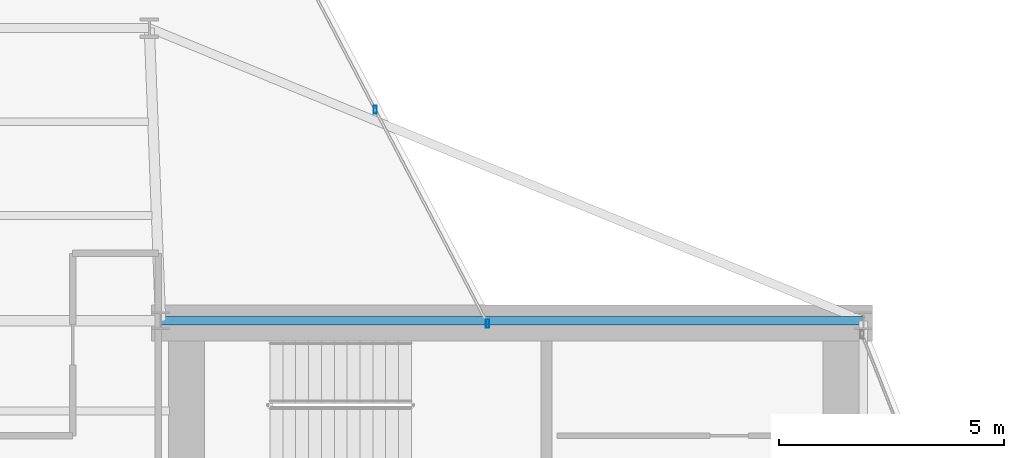
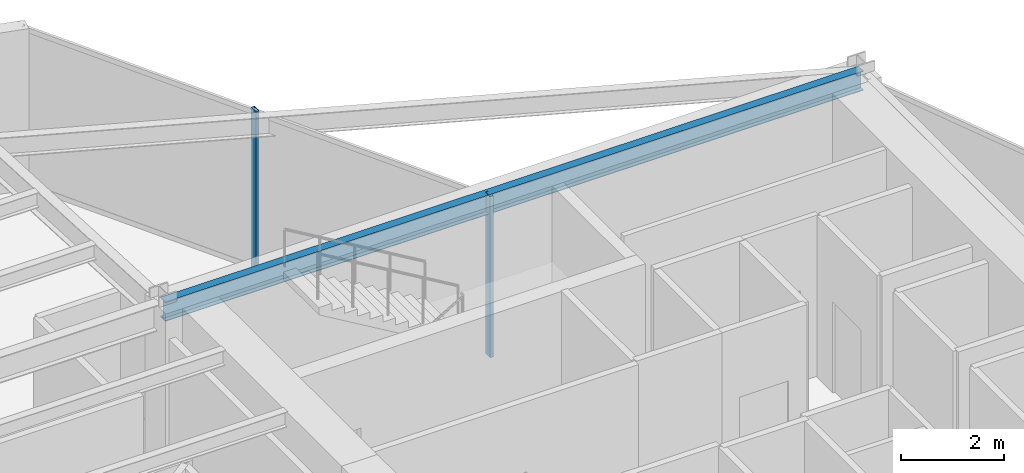
# One storey, part 15 of 25: 2 members, 1 beam, 1 element without a shape of its own.
"""IFC4 building model written with IfcOpenShell, lengths in metres."""

import ifcopenshell
import ifcopenshell.guid

model = None  # the IFC model being written
_history = None  # IfcOwnerHistory: only IFC2X3 demands one
_inside = {}  # id of a spatial element -> (the spatial element, [elements in it])
_under = {}  # id of a project, library or spatial element -> (it, [spatial elements below it])
_declared = {}  # id of a project -> (the project, [libraries it declares])
_typed = {}  # id of a type object -> (the type object, [elements of that type])
_made_of = {}  # id of a material, layer set ... -> (it, [elements and type objects made of it])


def new_model(schema):
    """Start an empty IFC model of exactly this schema.

    Asked for "IFC4X3", IfcOpenShell would pick the latest addendum, in which some entities
    have other attributes; the version numbers below select the first issue.
    IFC2X3 requires an IfcOwnerHistory on every rooted entity: one is made here for all.
    """
    global model, _history
    if schema == "IFC4X3":
        model = ifcopenshell.file(schema_version=(4, 3, 0, 0))
    else:
        model = ifcopenshell.file(schema=schema)
    _inside.clear()
    _under.clear()
    _declared.clear()
    _typed.clear()
    _made_of.clear()
    _history = None
    if model.schema == "IFC2X3":
        org = make("IfcOrganization", Name="unknown")
        user = make(
            "IfcPersonAndOrganization",
            ThePerson=make("IfcPerson", FamilyName="unknown"),
            TheOrganization=org,
        )
        app = make(
            "IfcApplication",
            ApplicationDeveloper=org,
            Version="unknown",
            ApplicationFullName="unknown",
            ApplicationIdentifier="unknown",
        )
        _history = make(
            "IfcOwnerHistory",
            OwningUser=user,
            OwningApplication=app,
            ChangeAction="ADDED",
            CreationDate=0,
        )
    return model


def make(cls, **values):
    """One entity of the class cls with the attributes given. An attribute that is None is left unset."""
    return model.create_entity(
        cls, **{name: value for name, value in values.items() if value is not None}
    )


def rooted(cls, **values):
    """An entity with a GlobalId (a new one), such as an element, a storey or a relation."""
    return make(cls, GlobalId=ifcopenshell.guid.new(), OwnerHistory=_history, **values)


def si_unit(unit_type, name, prefix=None):
    """IfcSIUnit, for example si_unit("LENGTHUNIT", "METRE", prefix="MILLI")."""
    return make("IfcSIUnit", UnitType=unit_type, Prefix=prefix, Name=name)


def assignment(units):
    """IfcUnitAssignment: the units of a project."""
    return None if units is None else make("IfcUnitAssignment", Units=units)


def point(xyz):
    """IfcCartesianPoint."""
    return None if xyz is None else make("IfcCartesianPoint", Coordinates=xyz)


def direction(xyz):
    """IfcDirection."""
    return None if xyz is None else make("IfcDirection", DirectionRatios=xyz)


def frame(location, z_axis=None, x_axis=None):
    """IfcAxis2Placement3D, a coordinate frame: its origin and axes. An axis left out is left unset."""
    return make(
        "IfcAxis2Placement3D",
        Location=point(location),
        Axis=direction(z_axis),
        RefDirection=direction(x_axis),
    )


def frame_2d(location, x_axis=None):
    """IfcAxis2Placement2D, a coordinate frame in the plane: its origin and x axis."""
    return make(
        "IfcAxis2Placement2D", Location=point(location), RefDirection=direction(x_axis)
    )


def origin():
    """The frame at (0, 0, 0) with its axes left unset."""
    return frame((0.0, 0.0, 0.0))


def origin_2d():
    """The frame at (0, 0) in the plane with its x axis left unset."""
    return frame_2d((0.0, 0.0))


def place(relative_to, where):
    """IfcLocalPlacement: puts the frame where relative to a parent placement (None: the world)."""
    return make(
        "IfcLocalPlacement", PlacementRelTo=relative_to, RelativePlacement=where
    )


def context(
    kind, dimensions, precision=None, world=None, true_north=None, identifier=None
):
    """IfcGeometricRepresentationContext, for example the 3D "Model" context."""
    return make(
        "IfcGeometricRepresentationContext",
        ContextIdentifier=identifier,
        ContextType=kind,
        CoordinateSpaceDimension=dimensions,
        Precision=precision,
        WorldCoordinateSystem=world,
        TrueNorth=true_north,
    )


def subcontext(parent, identifier, kind, view, scale=None):
    """IfcGeometricRepresentationSubContext, for example "Body" below "Model"."""
    return make(
        "IfcGeometricRepresentationSubContext",
        ContextIdentifier=identifier,
        ContextType=kind,
        ParentContext=parent,
        TargetScale=scale,
        TargetView=view,
    )


def project(units=None, contexts=None):
    """IfcProject with its units and contexts."""
    return rooted(
        "IfcProject",
        Name="project",
        RepresentationContexts=contexts,
        UnitsInContext=assignment(units),
    )


def spatial(cls, under=None, at=None, **own):
    """A site, building, storey or space (cls), placed at a placement, below another one or the project."""
    s = rooted(cls, ObjectPlacement=at, **own)
    if under is not None:
        _under.setdefault(under.id(), (under, []))[1].append(s)
    return s


def profile(cls, at=None, kind="AREA", **sizes):
    """A parametric profile (cls). Its sizes go by their IFC names, for example OverallWidth=200.0."""
    return make(cls, ProfileType=kind, Position=at, **sizes)


def hollow_rectangle(**sizes):
    """IfcRectangleHollowProfileDef."""
    return profile("IfcRectangleHollowProfileDef", **sizes)


def i_section(**sizes):
    """IfcIShapeProfileDef."""
    return profile("IfcIShapeProfileDef", **sizes)


def extrude(swept, where, along, depth):
    """IfcExtrudedAreaSolid: the profile swept, set in the frame where, extruded along a direction by depth."""
    return make(
        "IfcExtrudedAreaSolid",
        SweptArea=swept,
        Position=where,
        ExtrudedDirection=direction(along),
        Depth=depth,
    )


def shape(context_of_items, identifier, shape_type, items):
    """IfcShapeRepresentation: the items that make up one representation, for example the "Body"."""
    return make(
        "IfcShapeRepresentation",
        ContextOfItems=context_of_items,
        RepresentationIdentifier=identifier,
        RepresentationType=shape_type,
        Items=items,
    )


def material(Name=None, Category=None):
    """IfcMaterial."""
    return make("IfcMaterial", Name=Name, Category=Category)


def layer(
    of_material, thickness, ventilated=None, Name=None, Category=None, Priority=None
):
    """IfcMaterialLayer: one layer of a wall or slab, of a material (None: an air gap)."""
    return make(
        "IfcMaterialLayer",
        Material=of_material,
        LayerThickness=thickness,
        IsVentilated=ventilated,
        Name=Name,
        Category=Category,
        Priority=Priority,
    )


def layer_set(layers, Name=None):
    """IfcMaterialLayerSet."""
    return make("IfcMaterialLayerSet", MaterialLayers=layers, LayerSetName=Name)


def material_profile(
    of_material, cross_section, Name=None, Category=None, Priority=None
):
    """IfcMaterialProfile: a cross section and its material."""
    return make(
        "IfcMaterialProfile",
        Name=Name,
        Material=of_material,
        Profile=cross_section,
        Priority=Priority,
        Category=Category,
    )


def profile_set(profiles, Name=None, composite=None):
    """IfcMaterialProfileSet."""
    return make(
        "IfcMaterialProfileSet",
        Name=Name,
        MaterialProfiles=profiles,
        CompositeProfile=composite,
    )


def made_of(thing, what):
    """Note that an element or type object is made of a material, layer set ...; save() writes the relation."""
    if what is not None:
        _made_of.setdefault(what.id(), (what, []))[1].append(thing)
    return thing


def type_object(cls, material=None, **own):
    """A type object (cls), such as IfcWallType, which elements share."""
    return made_of(rooted(cls, **own), material)


def element(
    cls,
    number,
    at=None,
    inside=None,
    cuts=None,
    type_object=None,
    material=None,
    context=None,
    identifier="Body",
    shape_type=None,
    held_by="IfcProductDefinitionShape",
    body=None,
    shapes=None,
    **own,
):
    """One element of the class cls, such as IfcWall. Its Tag is "e" and its number.

    at: its placement. inside: the storey or other place that contains it. cuts: it is an
    opening in that element (IfcRelVoidsElement). A single representation is given by context,
    identifier, shape_type and body (its items); several are given by shapes. held_by: the class
    of the entity that holds the representations. save() writes the other relations.
    """
    e = rooted(cls, Tag="e%d" % number, ObjectPlacement=at, **own)
    if body is not None:
        shapes = [shape(context, identifier, shape_type, body)]
    if shapes is not None:
        e.Representation = make(held_by, Representations=shapes)
    if inside is not None:
        _inside.setdefault(inside.id(), (inside, []))[1].append(e)
    if cuts is not None:
        rooted(
            "IfcRelVoidsElement", RelatingBuildingElement=cuts, RelatedOpeningElement=e
        )
    if type_object is not None:
        _typed.setdefault(type_object.id(), (type_object, []))[1].append(e)
    return made_of(e, material)


def aggregate(whole, parts):
    """IfcRelAggregates: a whole, such as a stair, and the parts it consists of."""
    return rooted("IfcRelAggregates", RelatingObject=whole, RelatedObjects=parts)


def save(model, path):
    """Write the relations noted so far, then the file.

    IfcRelAggregates (storeys below a building ...), IfcRelContainedInSpatialStructure (elements
    in a storey), IfcRelDefinesByType, IfcRelAssociatesMaterial and IfcRelDeclares: one each for
    every whole, place, type object, material and project.
    """
    for whole, parts in _under.values():
        aggregate(whole, parts)
    for where, things in _inside.values():
        rooted(
            "IfcRelContainedInSpatialStructure",
            RelatedElements=things,
            RelatingStructure=where,
        )
    for kind, things in _typed.values():
        rooted("IfcRelDefinesByType", RelatedObjects=things, RelatingType=kind)
    for what, things in _made_of.values():
        rooted("IfcRelAssociatesMaterial", RelatedObjects=things, RelatingMaterial=what)
    for by, libraries in _declared.values():
        rooted("IfcRelDeclares", RelatingContext=by, RelatedDefinitions=libraries)
    model.write(path)


model = new_model("IFC4")

# Units and contexts
model_context = context("Model", 3, precision=1e-05, world=origin(), true_north=direction((0.0, 1.0)))
body_context = subcontext(model_context, "Body", "Model", "MODEL_VIEW")
ifc_project = project(units=[si_unit("LENGTHUNIT", "METRE"), si_unit("AREAUNIT", "SQUARE_METRE"), si_unit("VOLUMEUNIT", "CUBIC_METRE"), si_unit("PLANEANGLEUNIT", "RADIAN"), si_unit("MASSUNIT", "GRAM", prefix="KILO")], contexts=[model_context])

# Site, building, storey
site_placement = place(None, origin())
site = spatial("IfcSite", under=ifc_project, at=site_placement, CompositionType="ELEMENT")
building_placement = place(site_placement, origin())
building = spatial("IfcBuilding", under=site, at=building_placement, Name="Veymaron Broadcast Tower", CompositionType="ELEMENT")
storey_placement = place(building_placement, frame((0.0, 0.0, 145.199951171875)))
storey = spatial("IfcBuildingStorey", under=building, at=storey_placement, Name="L33", CompositionType="ELEMENT", Elevation=145.199951171875)

# Beam
ifc_material_1 = material(Name="Structural steel ASTM A992 Gr 50", Category="steel")
ifc_material_profile_1 = material_profile(ifc_material_1, i_section(OverallWidth=0.19091796875, OverallDepth=0.4599609375, WebThickness=0.010009765625, FlangeThickness=0.01611328125, at=origin_2d()), Name="W460X82")
ifc_profile_set_1 = profile_set([ifc_material_profile_1], Name="Structural steel ASTM A992 Gr 50")
beam_type = type_object("IfcBeamType", Name="BM-SP1", PredefinedType="SPANDREL", material=ifc_profile_set_1)
beam_placement = place(storey_placement, frame((39.0, 32.0, 3.580078125), z_axis=(1.0, 0.0, 0.0), x_axis=(0.0, 1.0, 0.0)))
element("IfcBeam", 1, at=beam_placement, inside=storey, type_object=beam_type, Name="L33 primary structural floor girder", PredefinedType="SPANDREL", context=body_context, shape_type="SweptSolid", body=[
    extrude(i_section(OverallWidth=0.19091796875, OverallDepth=0.4599609375, WebThickness=0.010009765625, FlangeThickness=0.01611328125, at=origin_2d()), origin(), (0.0, 0.0, 1.0), 15.60009765625),
])

# Curtain wall, members
ifc_material_2 = material(Name="Anodised aluminium AA 6063-T6 and laminated low-E dark glass", Category="aluminium")
ifc_layer = layer(ifc_material_2, 0.179931640625)
ifc_layer_set = layer_set([ifc_layer], Name="Anodised aluminium AA 6063-T6 and laminated low-E dark glass")
curtain_wall_type = type_object("IfcCurtainWallType", Name="CW-SYS-03", PredefinedType="NOTDEFINED", material=ifc_layer_set)
curtain_wall_placement = place(storey_placement, origin())
curtain_wall = element("IfcCurtainWall", 2, at=curtain_wall_placement, inside=storey, type_object=curtain_wall_type, Name="L33 dark-glass curtain wall CW-L33-E5-1", PredefinedType="NOTDEFINED")
ifc_material_3 = material(Name="Anodised aluminium AA 6063-T6", Category="aluminium")
ifc_material_profile_2 = material_profile(ifc_material_3, hollow_rectangle(XDim=0.074951171875, YDim=0.179931640625, WallThickness=0.0048828125, at=origin_2d()), Name="AL180X75X5")
ifc_profile_set_2 = profile_set([ifc_material_profile_2], Name="Anodised aluminium AA 6063-T6")
member_type = type_object("IfcMemberType", Name="CW-MUL-02", PredefinedType="MULLION", material=ifc_profile_set_2)
member_1_placement = place(storey_placement, frame((46.25634765625, 31.93505859375, 0.0), z_axis=(0.0, 0.0, 1.0), x_axis=(1.0, 0.0, 0.0)))
member_1 = element("IfcMember", 3, at=member_1_placement, type_object=member_type, Name="CW-L33-E5-1 mullion 0", PredefinedType="MULLION", context=body_context, shape_type="SweptSolid", body=[
    extrude(hollow_rectangle(XDim=0.074951171875, YDim=0.179931640625, WallThickness=0.0048828125, at=origin_2d()), origin(), (0.0, 0.0, 1.0), 3.81005859375),
])
member_2_placement = place(storey_placement, frame((43.76513671875, 36.68505859375, 0.0), z_axis=(0.0, 0.0, 1.0), x_axis=(1.0, 0.0, 0.0)))
member_2 = element("IfcMember", 4, at=member_2_placement, type_object=member_type, Name="CW-L33-E5-1 mullion 1", PredefinedType="MULLION", context=body_context, shape_type="SweptSolid", body=[
    extrude(hollow_rectangle(XDim=0.074951171875, YDim=0.179931640625, WallThickness=0.0048828125, at=origin_2d()), origin(), (0.0, 0.0, 1.0), 3.81005859375),
])
aggregate(curtain_wall, [member_1, member_2])

save(model, "model.ifc")
